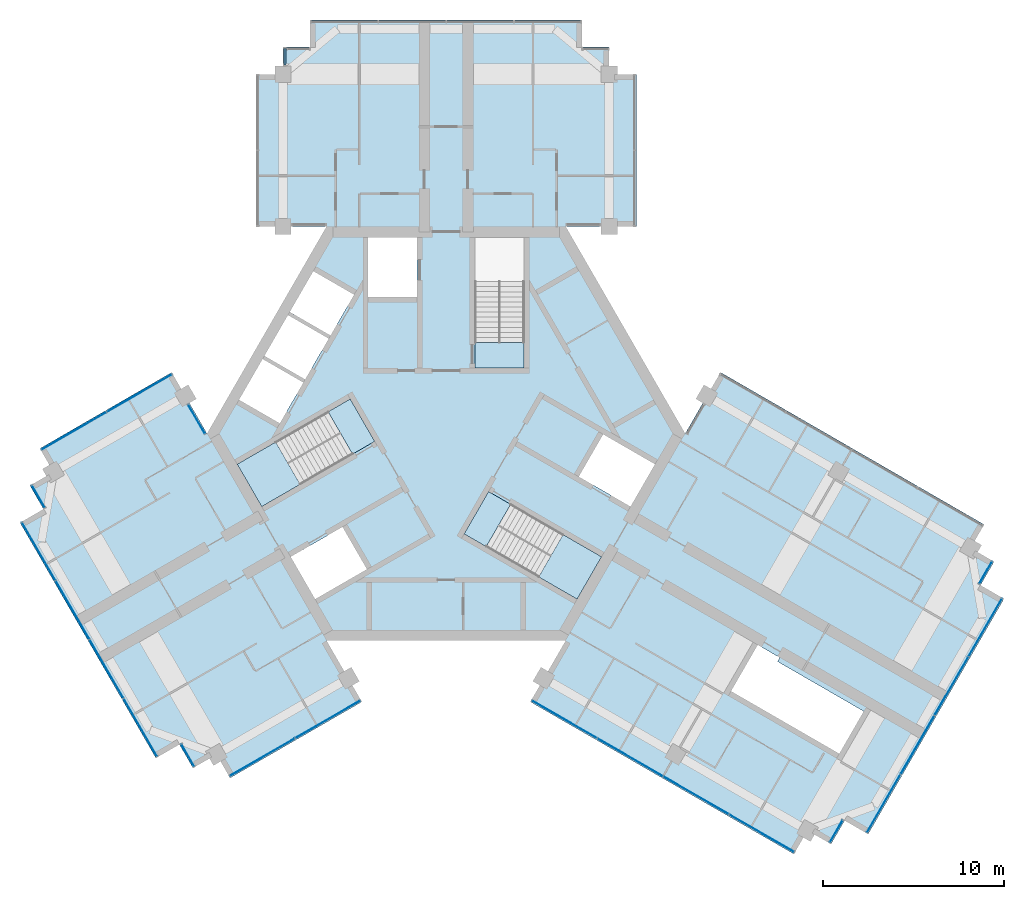
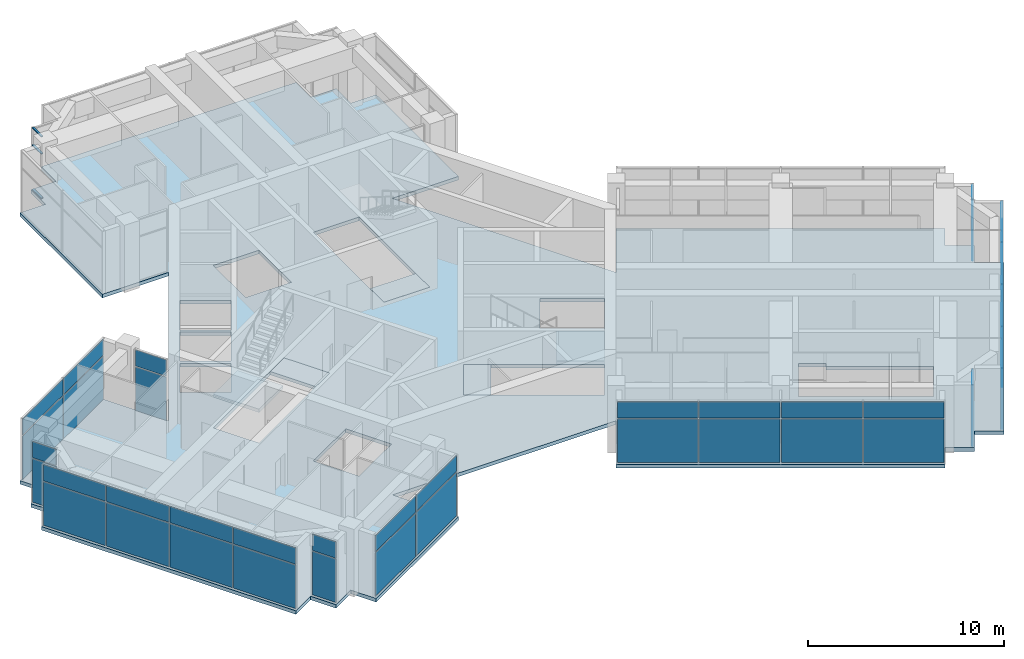
# One storey, part 7 of 14: 42 plates, 6 slabs, 3 members, 14 elements without a shape of their own.
"""IFC4 building model written with IfcOpenShell, lengths in metres."""

from ifc_helpers import new_model, si_unit, direction, frame, origin, origin_2d, place, context, subcontext, project, spatial, polyline, rectangle, outline, extrude, material, layer, layer_set, material_profile, profile_set, type_object, element, aggregate, save


model = new_model("IFC4")

# Units and contexts
model_context = context("Model", 3, precision=1e-05, world=origin(), true_north=direction((0.0, 1.0)))
body_context = subcontext(model_context, "Body", "Model", "MODEL_VIEW")
ifc_project = project(units=[si_unit("LENGTHUNIT", "METRE"), si_unit("AREAUNIT", "SQUARE_METRE"), si_unit("VOLUMEUNIT", "CUBIC_METRE"), si_unit("PLANEANGLEUNIT", "RADIAN"), si_unit("MASSUNIT", "GRAM", prefix="KILO")], contexts=[model_context])

# Site, building, storey
site_placement = place(None, origin())
site = spatial("IfcSite", under=ifc_project, at=site_placement, CompositionType="ELEMENT")
building_placement = place(site_placement, origin())
building = spatial("IfcBuilding", under=site, at=building_placement, Name="Impinga Residences", CompositionType="ELEMENT")
storey_placement = place(building_placement, frame((0.0, 0.0, 291.550048828125)))
storey = spatial("IfcBuildingStorey", under=building, at=storey_placement, Name="L73", CompositionType="ELEMENT", Elevation=291.550048828125)

# Curtain wall, members
ifc_material_1 = material(Name="Aluminium stick curtain wall", Category="aluminium")
curtain_wall_type = type_object("IfcCurtainWallType", Name="CW3 penthouse curtain wall", PredefinedType="USERDEFINED", material=ifc_material_1)
curtain_wall_1_placement = place(storey_placement, origin())
curtain_wall_1 = element("IfcCurtainWall", 1, at=curtain_wall_1_placement, inside=storey, type_object=curtain_wall_type, Name="Curtain wall CW3 L73", ObjectType="STICK CURTAIN WALL", PredefinedType="USERDEFINED")
ifc_material_2 = material(Name="Aluminium transom", Category="aluminium")
ifc_material_profile = material_profile(ifc_material_2, rectangle(XDim=0.06005859375, YDim=0.1201171875, at=origin_2d()), Name="60x120 transom")
ifc_profile_set = profile_set([ifc_material_profile], Name="Aluminium transom")
member_type = type_object("IfcMemberType", Name="CW3-T transom 60x120", PredefinedType="USERDEFINED", material=ifc_profile_set)
member_1_placement = place(storey_placement, frame((-8.89990234375, 20.344482421875, 0.030029296875), z_axis=(0.0, 1.0, 0.0), x_axis=(0.0, 0.0, 1.0)))
member_1 = element("IfcMember", 2, at=member_1_placement, type_object=member_type, Name="CW3 transom 1.1", ObjectType="TRANSOM", PredefinedType="USERDEFINED", context=body_context, shape_type="SweptSolid", body=[
    extrude(rectangle(XDim=0.06005859375, YDim=0.1201171875, at=origin_2d()), origin(), (0.0, 0.0, 1.0), 0.927001953125),
])
member_2_placement = place(storey_placement, frame((-8.89990234375, 20.344482421875, 2.800048828125), z_axis=(0.0, 1.0, 0.0), x_axis=(0.0, 0.0, 1.0)))
member_2 = element("IfcMember", 3, at=member_2_placement, type_object=member_type, Name="CW3 transom 1.2", ObjectType="TRANSOM", PredefinedType="USERDEFINED", context=body_context, shape_type="SweptSolid", body=[
    extrude(rectangle(XDim=0.06005859375, YDim=0.1201171875, at=origin_2d()), origin(), (0.0, 0.0, 1.0), 0.927001953125),
])
member_3_placement = place(storey_placement, frame((-8.89990234375, 20.344482421875, 3.869873046875), z_axis=(0.0, 1.0, 0.0), x_axis=(0.0, 0.0, 1.0)))
member_3 = element("IfcMember", 4, at=member_3_placement, type_object=member_type, Name="CW3 transom 1.3", ObjectType="TRANSOM", PredefinedType="USERDEFINED", context=body_context, shape_type="SweptSolid", body=[
    extrude(rectangle(XDim=0.06005859375, YDim=0.1201171875, at=origin_2d()), origin(), (0.0, 0.0, 1.0), 0.927001953125),
])
aggregate(curtain_wall_1, [member_1, member_2, member_3])

# Curtain wall, plates
curtain_wall_2_placement = place(storey_placement, origin())
curtain_wall_2 = element("IfcCurtainWall", 5, at=curtain_wall_2_placement, inside=storey, type_object=curtain_wall_type, Name="Curtain wall CW3 L73", ObjectType="STICK CURTAIN WALL", PredefinedType="USERDEFINED")
ifc_material_3 = material(Name="Clear double glazing", Category="glass")
ifc_layer_1 = layer(ifc_material_3, 0.028076171875)
ifc_layer_set_1 = layer_set([ifc_layer_1], Name="CW3-P clear double glazed panel 28")
plate_type = type_object("IfcPlateType", Name="CW3-P clear double glazed panel 28", PredefinedType="CURTAIN_PANEL", material=ifc_layer_set_1)
plate_1_placement = place(storey_placement, frame((29.78662109375, -7.671142578125, 0.06005859375), z_axis=(0.0, 0.0, 1.0), x_axis=(-0.500000030502, -0.866025386174, 0.0)))
plate_1 = element("IfcPlate", 6, at=plate_1_placement, type_object=plate_type, Name="CW3 panel 1.1", PredefinedType="CURTAIN_PANEL", context=body_context, shape_type="SweptSolid", body=[
    extrude(rectangle(XDim=1.3798828125, YDim=0.028076171875, at=origin_2d()), origin(), (0.0, 0.0, 1.0), 2.7099609375),
])
plate_2_placement = place(storey_placement, frame((29.78662109375, -7.671142578125, 2.830078125), z_axis=(0.0, 0.0, 1.0), x_axis=(-0.500000030502, -0.866025386174, 0.0)))
plate_2 = element("IfcPlate", 7, at=plate_2_placement, type_object=plate_type, Name="CW3 panel 1.2", PredefinedType="CURTAIN_PANEL", context=body_context, shape_type="SweptSolid", body=[
    extrude(rectangle(XDim=1.3798828125, YDim=0.028076171875, at=origin_2d()), origin(), (0.0, 0.0, 1.0), 1.010009765625),
])
aggregate(curtain_wall_2, [plate_1, plate_2])

curtain_wall_3_placement = place(storey_placement, origin())
curtain_wall_3 = element("IfcCurtainWall", 8, at=curtain_wall_3_placement, inside=storey, type_object=curtain_wall_type, Name="Curtain wall CW3 L73", ObjectType="STICK CURTAIN WALL", PredefinedType="USERDEFINED")
plate_3_placement = place(storey_placement, frame((29.765625, -10.707275390625, 0.06005859375), z_axis=(0.0, 0.0, 1.0), x_axis=(-0.500000001632, -0.866025402842, 0.0)))
plate_3 = element("IfcPlate", 9, at=plate_3_placement, type_object=plate_type, Name="CW3 panel 1.1", PredefinedType="CURTAIN_PANEL", context=body_context, shape_type="SweptSolid", body=[
    extrude(rectangle(XDim=3.659912109375, YDim=0.028076171875, at=origin_2d()), origin(), (0.0, 0.0, 1.0), 2.7099609375),
])
plate_4_placement = place(storey_placement, frame((29.765625, -10.707275390625, 2.830078125), z_axis=(0.0, 0.0, 1.0), x_axis=(-0.500000001632, -0.866025402842, 0.0)))
plate_4 = element("IfcPlate", 10, at=plate_4_placement, type_object=plate_type, Name="CW3 panel 1.2", PredefinedType="CURTAIN_PANEL", context=body_context, shape_type="SweptSolid", body=[
    extrude(rectangle(XDim=3.659912109375, YDim=0.028076171875, at=origin_2d()), origin(), (0.0, 0.0, 1.0), 1.010009765625),
])
plate_5_placement = place(storey_placement, frame((27.898193359375, -13.94189453125, 0.06005859375), z_axis=(0.0, 0.0, 1.0), x_axis=(-0.500000001632, -0.866025402842, 0.0)))
plate_5 = element("IfcPlate", 11, at=plate_5_placement, type_object=plate_type, Name="CW3 panel 2.1", PredefinedType="CURTAIN_PANEL", context=body_context, shape_type="SweptSolid", body=[
    extrude(rectangle(XDim=3.68994140625, YDim=0.028076171875, at=origin_2d()), origin(), (0.0, 0.0, 1.0), 2.7099609375),
])
plate_6_placement = place(storey_placement, frame((27.898193359375, -13.94189453125, 2.830078125), z_axis=(0.0, 0.0, 1.0), x_axis=(-0.500000001632, -0.866025402842, 0.0)))
plate_6 = element("IfcPlate", 12, at=plate_6_placement, type_object=plate_type, Name="CW3 panel 2.2", PredefinedType="CURTAIN_PANEL", context=body_context, shape_type="SweptSolid", body=[
    extrude(rectangle(XDim=3.68994140625, YDim=0.028076171875, at=origin_2d()), origin(), (0.0, 0.0, 1.0), 1.010009765625),
])
plate_7_placement = place(storey_placement, frame((26.023193359375, -17.189453125, 0.06005859375), z_axis=(0.0, 0.0, 1.0), x_axis=(-0.500000001632, -0.866025402842, 0.0)))
plate_7 = element("IfcPlate", 13, at=plate_7_placement, type_object=plate_type, Name="CW3 panel 3.1", PredefinedType="CURTAIN_PANEL", context=body_context, shape_type="SweptSolid", body=[
    extrude(rectangle(XDim=3.68994140625, YDim=0.028076171875, at=origin_2d()), origin(), (0.0, 0.0, 1.0), 2.7099609375),
])
plate_8_placement = place(storey_placement, frame((26.023193359375, -17.189453125, 2.830078125), z_axis=(0.0, 0.0, 1.0), x_axis=(-0.500000001632, -0.866025402842, 0.0)))
plate_8 = element("IfcPlate", 14, at=plate_8_placement, type_object=plate_type, Name="CW3 panel 3.2", PredefinedType="CURTAIN_PANEL", context=body_context, shape_type="SweptSolid", body=[
    extrude(rectangle(XDim=3.68994140625, YDim=0.028076171875, at=origin_2d()), origin(), (0.0, 0.0, 1.0), 1.010009765625),
])
plate_9_placement = place(storey_placement, frame((24.15576171875, -20.424072265625, 0.06005859375), z_axis=(0.0, 0.0, 1.0), x_axis=(-0.500000001632, -0.866025402842, 0.0)))
plate_9 = element("IfcPlate", 15, at=plate_9_placement, type_object=plate_type, Name="CW3 panel 4.1", PredefinedType="CURTAIN_PANEL", context=body_context, shape_type="SweptSolid", body=[
    extrude(rectangle(XDim=3.659912109375, YDim=0.028076171875, at=origin_2d()), origin(), (0.0, 0.0, 1.0), 2.7099609375),
])
plate_10_placement = place(storey_placement, frame((24.15576171875, -20.424072265625, 2.830078125), z_axis=(0.0, 0.0, 1.0), x_axis=(-0.500000001632, -0.866025402842, 0.0)))
plate_10 = element("IfcPlate", 16, at=plate_10_placement, type_object=plate_type, Name="CW3 panel 4.2", PredefinedType="CURTAIN_PANEL", context=body_context, shape_type="SweptSolid", body=[
    extrude(rectangle(XDim=3.659912109375, YDim=0.028076171875, at=origin_2d()), origin(), (0.0, 0.0, 1.0), 1.010009765625),
])
aggregate(curtain_wall_3, [plate_3, plate_4, plate_5, plate_6, plate_7, plate_8, plate_9, plate_10])

curtain_wall_4_placement = place(storey_placement, origin())
curtain_wall_4 = element("IfcCurtainWall", 17, at=curtain_wall_4_placement, inside=storey, type_object=curtain_wall_type, Name="Curtain wall CW3 L73", ObjectType="STICK CURTAIN WALL", PredefinedType="USERDEFINED")
plate_11_placement = place(storey_placement, frame((21.53662109375, -21.96044921875, 0.06005859375), z_axis=(0.0, 0.0, 1.0), x_axis=(-0.500000030502, -0.866025386174, 0.0)))
plate_11 = element("IfcPlate", 18, at=plate_11_placement, type_object=plate_type, Name="CW3 panel 1.1", PredefinedType="CURTAIN_PANEL", context=body_context, shape_type="SweptSolid", body=[
    extrude(rectangle(XDim=1.3798828125, YDim=0.028076171875, at=origin_2d()), origin(), (0.0, 0.0, 1.0), 2.7099609375),
])
plate_12_placement = place(storey_placement, frame((21.53662109375, -21.96044921875, 2.830078125), z_axis=(0.0, 0.0, 1.0), x_axis=(-0.500000030502, -0.866025386174, 0.0)))
plate_12 = element("IfcPlate", 19, at=plate_12_placement, type_object=plate_type, Name="CW3 panel 1.2", PredefinedType="CURTAIN_PANEL", context=body_context, shape_type="SweptSolid", body=[
    extrude(rectangle(XDim=1.3798828125, YDim=0.028076171875, at=origin_2d()), origin(), (0.0, 0.0, 1.0), 1.010009765625),
])
aggregate(curtain_wall_4, [plate_11, plate_12])

curtain_wall_5_placement = place(storey_placement, origin())
curtain_wall_5 = element("IfcCurtainWall", 20, at=curtain_wall_5_placement, inside=storey, type_object=curtain_wall_type, Name="Curtain wall CW3 L73", ObjectType="STICK CURTAIN WALL", PredefinedType="USERDEFINED")
plate_13_placement = place(storey_placement, frame((17.41748046875, -22.06494140625, 0.06005859375), z_axis=(0.0, 0.0, 1.0), x_axis=(-0.866025407005, 0.499999994423, 0.0)))
plate_13 = element("IfcPlate", 21, at=plate_13_placement, type_object=plate_type, Name="CW3 panel 1.1", PredefinedType="CURTAIN_PANEL", context=body_context, shape_type="SweptSolid", body=[
    extrude(rectangle(XDim=4.110107421875, YDim=0.028076171875, at=origin_2d()), origin(), (0.0, 0.0, 1.0), 2.7099609375),
])
plate_14_placement = place(storey_placement, frame((17.41748046875, -22.06494140625, 2.830078125), z_axis=(0.0, 0.0, 1.0), x_axis=(-0.866025407005, 0.499999994423, 0.0)))
plate_14 = element("IfcPlate", 22, at=plate_14_placement, type_object=plate_type, Name="CW3 panel 1.2", PredefinedType="CURTAIN_PANEL", context=body_context, shape_type="SweptSolid", body=[
    extrude(rectangle(XDim=4.110107421875, YDim=0.028076171875, at=origin_2d()), origin(), (0.0, 0.0, 1.0), 1.010009765625),
])
plate_15_placement = place(storey_placement, frame((13.793212890625, -19.972412109375, 0.06005859375), z_axis=(0.0, 0.0, 1.0), x_axis=(-0.866025407005, 0.499999994423, 0.0)))
plate_15 = element("IfcPlate", 23, at=plate_15_placement, type_object=plate_type, Name="CW3 panel 2.1", PredefinedType="CURTAIN_PANEL", context=body_context, shape_type="SweptSolid", body=[
    extrude(rectangle(XDim=4.139892578125, YDim=0.028076171875, at=origin_2d()), origin(), (0.0, 0.0, 1.0), 2.7099609375),
])
plate_16_placement = place(storey_placement, frame((13.793212890625, -19.972412109375, 2.830078125), z_axis=(0.0, 0.0, 1.0), x_axis=(-0.866025407005, 0.499999994423, 0.0)))
plate_16 = element("IfcPlate", 24, at=plate_16_placement, type_object=plate_type, Name="CW3 panel 2.2", PredefinedType="CURTAIN_PANEL", context=body_context, shape_type="SweptSolid", body=[
    extrude(rectangle(XDim=4.139892578125, YDim=0.028076171875, at=origin_2d()), origin(), (0.0, 0.0, 1.0), 1.010009765625),
])
plate_17_placement = place(storey_placement, frame((10.156005859375, -17.872314453125, 0.06005859375), z_axis=(0.0, 0.0, 1.0), x_axis=(-0.866025407005, 0.499999994423, 0.0)))
plate_17 = element("IfcPlate", 25, at=plate_17_placement, type_object=plate_type, Name="CW3 panel 3.1", PredefinedType="CURTAIN_PANEL", context=body_context, shape_type="SweptSolid", body=[
    extrude(rectangle(XDim=4.139892578125, YDim=0.028076171875, at=origin_2d()), origin(), (0.0, 0.0, 1.0), 2.7099609375),
])
plate_18_placement = place(storey_placement, frame((10.156005859375, -17.872314453125, 2.830078125), z_axis=(0.0, 0.0, 1.0), x_axis=(-0.866025407005, 0.499999994423, 0.0)))
plate_18 = element("IfcPlate", 26, at=plate_18_placement, type_object=plate_type, Name="CW3 panel 3.2", PredefinedType="CURTAIN_PANEL", context=body_context, shape_type="SweptSolid", body=[
    extrude(rectangle(XDim=4.139892578125, YDim=0.028076171875, at=origin_2d()), origin(), (0.0, 0.0, 1.0), 1.010009765625),
])
plate_19_placement = place(storey_placement, frame((6.53173828125, -15.780029296875, 0.06005859375), z_axis=(0.0, 0.0, 1.0), x_axis=(-0.866025407005, 0.499999994423, 0.0)))
plate_19 = element("IfcPlate", 27, at=plate_19_placement, type_object=plate_type, Name="CW3 panel 4.1", PredefinedType="CURTAIN_PANEL", context=body_context, shape_type="SweptSolid", body=[
    extrude(rectangle(XDim=4.110107421875, YDim=0.028076171875, at=origin_2d()), origin(), (0.0, 0.0, 1.0), 2.7099609375),
])
plate_20_placement = place(storey_placement, frame((6.53173828125, -15.780029296875, 2.830078125), z_axis=(0.0, 0.0, 1.0), x_axis=(-0.866025407005, 0.499999994423, 0.0)))
plate_20 = element("IfcPlate", 28, at=plate_20_placement, type_object=plate_type, Name="CW3 panel 4.2", PredefinedType="CURTAIN_PANEL", context=body_context, shape_type="SweptSolid", body=[
    extrude(rectangle(XDim=4.110107421875, YDim=0.028076171875, at=origin_2d()), origin(), (0.0, 0.0, 1.0), 1.010009765625),
])
aggregate(curtain_wall_5, [plate_13, plate_14, plate_15, plate_16, plate_17, plate_18, plate_19, plate_20])

curtain_wall_6_placement = place(storey_placement, origin())
curtain_wall_6 = element("IfcCurtainWall", 29, at=curtain_wall_6_placement, inside=storey, type_object=curtain_wall_type, Name="Curtain wall CW3 L73", ObjectType="STICK CURTAIN WALL", PredefinedType="USERDEFINED")
plate_21_placement = place(storey_placement, frame((-6.53173828125, -15.780029296875, 0.06005859375), z_axis=(0.0, 0.0, 1.0), x_axis=(-0.866025392126, -0.500000020194, 0.0)))
plate_21 = element("IfcPlate", 30, at=plate_21_placement, type_object=plate_type, Name="CW3 panel 1.1", PredefinedType="CURTAIN_PANEL", context=body_context, shape_type="SweptSolid", body=[
    extrude(rectangle(XDim=4.110107421875, YDim=0.028076171875, at=origin_2d()), origin(), (0.0, 0.0, 1.0), 2.7099609375),
])
plate_22_placement = place(storey_placement, frame((-6.53173828125, -15.780029296875, 2.830078125), z_axis=(0.0, 0.0, 1.0), x_axis=(-0.866025392126, -0.500000020194, 0.0)))
plate_22 = element("IfcPlate", 31, at=plate_22_placement, type_object=plate_type, Name="CW3 panel 1.2", PredefinedType="CURTAIN_PANEL", context=body_context, shape_type="SweptSolid", body=[
    extrude(rectangle(XDim=4.110107421875, YDim=0.028076171875, at=origin_2d()), origin(), (0.0, 0.0, 1.0), 1.010009765625),
])
plate_23_placement = place(storey_placement, frame((-10.14306640625, -17.864990234375, 0.06005859375), z_axis=(0.0, 0.0, 1.0), x_axis=(-0.866025392126, -0.500000020194, 0.0)))
plate_23 = element("IfcPlate", 32, at=plate_23_placement, type_object=plate_type, Name="CW3 panel 2.1", PredefinedType="CURTAIN_PANEL", context=body_context, shape_type="SweptSolid", body=[
    extrude(rectangle(XDim=4.110107421875, YDim=0.028076171875, at=origin_2d()), origin(), (0.0, 0.0, 1.0), 2.7099609375),
])
plate_24_placement = place(storey_placement, frame((-10.14306640625, -17.864990234375, 2.830078125), z_axis=(0.0, 0.0, 1.0), x_axis=(-0.866025392126, -0.500000020194, 0.0)))
plate_24 = element("IfcPlate", 33, at=plate_24_placement, type_object=plate_type, Name="CW3 panel 2.2", PredefinedType="CURTAIN_PANEL", context=body_context, shape_type="SweptSolid", body=[
    extrude(rectangle(XDim=4.110107421875, YDim=0.028076171875, at=origin_2d()), origin(), (0.0, 0.0, 1.0), 1.010009765625),
])
aggregate(curtain_wall_6, [plate_21, plate_22, plate_23, plate_24])

curtain_wall_7_placement = place(storey_placement, origin())
curtain_wall_7 = element("IfcCurtainWall", 34, at=curtain_wall_7_placement, inside=storey, type_object=curtain_wall_type, Name="Curtain wall CW3 L73", ObjectType="STICK CURTAIN WALL", PredefinedType="USERDEFINED")
plate_25_placement = place(storey_placement, frame((-14.261962890625, -17.760498046875, 0.06005859375), z_axis=(0.0, 0.0, 1.0), x_axis=(-0.500000030502, 0.866025386174, 0.0)))
plate_25 = element("IfcPlate", 35, at=plate_25_placement, type_object=plate_type, Name="CW3 panel 1.1", PredefinedType="CURTAIN_PANEL", context=body_context, shape_type="SweptSolid", body=[
    extrude(rectangle(XDim=1.3798828125, YDim=0.028076171875, at=origin_2d()), origin(), (0.0, 0.0, 1.0), 2.7099609375),
])
plate_26_placement = place(storey_placement, frame((-14.261962890625, -17.760498046875, 2.830078125), z_axis=(0.0, 0.0, 1.0), x_axis=(-0.500000030502, 0.866025386174, 0.0)))
plate_26 = element("IfcPlate", 36, at=plate_26_placement, type_object=plate_type, Name="CW3 panel 1.2", PredefinedType="CURTAIN_PANEL", context=body_context, shape_type="SweptSolid", body=[
    extrude(rectangle(XDim=1.3798828125, YDim=0.028076171875, at=origin_2d()), origin(), (0.0, 0.0, 1.0), 1.010009765625),
])
aggregate(curtain_wall_7, [plate_25, plate_26])

curtain_wall_8_placement = place(storey_placement, origin())
curtain_wall_8 = element("IfcCurtainWall", 37, at=curtain_wall_8_placement, inside=storey, type_object=curtain_wall_type, Name="Curtain wall CW3 L73", ObjectType="STICK CURTAIN WALL", PredefinedType="USERDEFINED")
plate_27_placement = place(storey_placement, frame((-16.881103515625, -16.22412109375, 0.06005859375), z_axis=(0.0, 0.0, 1.0), x_axis=(-0.500000001632, 0.866025402842, 0.0)))
plate_27 = element("IfcPlate", 38, at=plate_27_placement, type_object=plate_type, Name="CW3 panel 1.1", PredefinedType="CURTAIN_PANEL", context=body_context, shape_type="SweptSolid", body=[
    extrude(rectangle(XDim=3.659912109375, YDim=0.028076171875, at=origin_2d()), origin(), (0.0, 0.0, 1.0), 2.7099609375),
])
plate_28_placement = place(storey_placement, frame((-16.881103515625, -16.22412109375, 2.830078125), z_axis=(0.0, 0.0, 1.0), x_axis=(-0.500000001632, 0.866025402842, 0.0)))
plate_28 = element("IfcPlate", 39, at=plate_28_placement, type_object=plate_type, Name="CW3 panel 1.2", PredefinedType="CURTAIN_PANEL", context=body_context, shape_type="SweptSolid", body=[
    extrude(rectangle(XDim=3.659912109375, YDim=0.028076171875, at=origin_2d()), origin(), (0.0, 0.0, 1.0), 1.010009765625),
])
plate_29_placement = place(storey_placement, frame((-18.74853515625, -12.989501953125, 0.06005859375), z_axis=(0.0, 0.0, 1.0), x_axis=(-0.500000001632, 0.866025402842, 0.0)))
plate_29 = element("IfcPlate", 40, at=plate_29_placement, type_object=plate_type, Name="CW3 panel 2.1", PredefinedType="CURTAIN_PANEL", context=body_context, shape_type="SweptSolid", body=[
    extrude(rectangle(XDim=3.68994140625, YDim=0.028076171875, at=origin_2d()), origin(), (0.0, 0.0, 1.0), 2.7099609375),
])
plate_30_placement = place(storey_placement, frame((-18.74853515625, -12.989501953125, 2.830078125), z_axis=(0.0, 0.0, 1.0), x_axis=(-0.500000001632, 0.866025402842, 0.0)))
plate_30 = element("IfcPlate", 41, at=plate_30_placement, type_object=plate_type, Name="CW3 panel 2.2", PredefinedType="CURTAIN_PANEL", context=body_context, shape_type="SweptSolid", body=[
    extrude(rectangle(XDim=3.68994140625, YDim=0.028076171875, at=origin_2d()), origin(), (0.0, 0.0, 1.0), 1.010009765625),
])
plate_31_placement = place(storey_placement, frame((-20.62353515625, -9.741943359375, 0.06005859375), z_axis=(0.0, 0.0, 1.0), x_axis=(-0.500000001632, 0.866025402842, 0.0)))
plate_31 = element("IfcPlate", 42, at=plate_31_placement, type_object=plate_type, Name="CW3 panel 3.1", PredefinedType="CURTAIN_PANEL", context=body_context, shape_type="SweptSolid", body=[
    extrude(rectangle(XDim=3.68994140625, YDim=0.028076171875, at=origin_2d()), origin(), (0.0, 0.0, 1.0), 2.7099609375),
])
plate_32_placement = place(storey_placement, frame((-20.62353515625, -9.741943359375, 2.830078125), z_axis=(0.0, 0.0, 1.0), x_axis=(-0.500000001632, 0.866025402842, 0.0)))
plate_32 = element("IfcPlate", 43, at=plate_32_placement, type_object=plate_type, Name="CW3 panel 3.2", PredefinedType="CURTAIN_PANEL", context=body_context, shape_type="SweptSolid", body=[
    extrude(rectangle(XDim=3.68994140625, YDim=0.028076171875, at=origin_2d()), origin(), (0.0, 0.0, 1.0), 1.010009765625),
])
plate_33_placement = place(storey_placement, frame((-22.490966796875, -6.50732421875, 0.06005859375), z_axis=(0.0, 0.0, 1.0), x_axis=(-0.500000001632, 0.866025402842, 0.0)))
plate_33 = element("IfcPlate", 44, at=plate_33_placement, type_object=plate_type, Name="CW3 panel 4.1", PredefinedType="CURTAIN_PANEL", context=body_context, shape_type="SweptSolid", body=[
    extrude(rectangle(XDim=3.659912109375, YDim=0.028076171875, at=origin_2d()), origin(), (0.0, 0.0, 1.0), 2.7099609375),
])
plate_34_placement = place(storey_placement, frame((-22.490966796875, -6.50732421875, 2.830078125), z_axis=(0.0, 0.0, 1.0), x_axis=(-0.500000001632, 0.866025402842, 0.0)))
plate_34 = element("IfcPlate", 45, at=plate_34_placement, type_object=plate_type, Name="CW3 panel 4.2", PredefinedType="CURTAIN_PANEL", context=body_context, shape_type="SweptSolid", body=[
    extrude(rectangle(XDim=3.659912109375, YDim=0.028076171875, at=origin_2d()), origin(), (0.0, 0.0, 1.0), 1.010009765625),
])
aggregate(curtain_wall_8, [plate_27, plate_28, plate_29, plate_30, plate_31, plate_32, plate_33, plate_34])

curtain_wall_9_placement = place(storey_placement, origin())
curtain_wall_9 = element("IfcCurtainWall", 46, at=curtain_wall_9_placement, inside=storey, type_object=curtain_wall_type, Name="Curtain wall CW3 L73", ObjectType="STICK CURTAIN WALL", PredefinedType="USERDEFINED")
plate_35_placement = place(storey_placement, frame((-22.511962890625, -3.470947265625, 0.06005859375), z_axis=(0.0, 0.0, 1.0), x_axis=(-0.500000030502, 0.866025386174, 0.0)))
plate_35 = element("IfcPlate", 47, at=plate_35_placement, type_object=plate_type, Name="CW3 panel 1.1", PredefinedType="CURTAIN_PANEL", context=body_context, shape_type="SweptSolid", body=[
    extrude(rectangle(XDim=1.3798828125, YDim=0.028076171875, at=origin_2d()), origin(), (0.0, 0.0, 1.0), 2.7099609375),
])
plate_36_placement = place(storey_placement, frame((-22.511962890625, -3.470947265625, 2.830078125), z_axis=(0.0, 0.0, 1.0), x_axis=(-0.500000030502, 0.866025386174, 0.0)))
plate_36 = element("IfcPlate", 48, at=plate_36_placement, type_object=plate_type, Name="CW3 panel 1.2", PredefinedType="CURTAIN_PANEL", context=body_context, shape_type="SweptSolid", body=[
    extrude(rectangle(XDim=1.3798828125, YDim=0.028076171875, at=origin_2d()), origin(), (0.0, 0.0, 1.0), 1.010009765625),
])
aggregate(curtain_wall_9, [plate_35, plate_36])

curtain_wall_10_placement = place(storey_placement, origin())
curtain_wall_10 = element("IfcCurtainWall", 49, at=curtain_wall_10_placement, inside=storey, type_object=curtain_wall_type, Name="Curtain wall CW3 L73", ObjectType="STICK CURTAIN WALL", PredefinedType="USERDEFINED")
plate_37_placement = place(storey_placement, frame((-20.54296875, 0.1484375, 0.06005859375), z_axis=(0.0, 0.0, 1.0), x_axis=(0.866025392126, 0.500000020194, 0.0)))
plate_37 = element("IfcPlate", 50, at=plate_37_placement, type_object=plate_type, Name="CW3 panel 1.1", PredefinedType="CURTAIN_PANEL", context=body_context, shape_type="SweptSolid", body=[
    extrude(rectangle(XDim=4.110107421875, YDim=0.028076171875, at=origin_2d()), origin(), (0.0, 0.0, 1.0), 2.7099609375),
])
plate_38_placement = place(storey_placement, frame((-20.54296875, 0.1484375, 2.830078125), z_axis=(0.0, 0.0, 1.0), x_axis=(0.866025392126, 0.500000020194, 0.0)))
plate_38 = element("IfcPlate", 51, at=plate_38_placement, type_object=plate_type, Name="CW3 panel 1.2", PredefinedType="CURTAIN_PANEL", context=body_context, shape_type="SweptSolid", body=[
    extrude(rectangle(XDim=4.110107421875, YDim=0.028076171875, at=origin_2d()), origin(), (0.0, 0.0, 1.0), 1.010009765625),
])
plate_39_placement = place(storey_placement, frame((-16.931640625, 2.2333984375, 0.06005859375), z_axis=(0.0, 0.0, 1.0), x_axis=(0.866025392126, 0.500000020194, 0.0)))
plate_39 = element("IfcPlate", 52, at=plate_39_placement, type_object=plate_type, Name="CW3 panel 2.1", PredefinedType="CURTAIN_PANEL", context=body_context, shape_type="SweptSolid", body=[
    extrude(rectangle(XDim=4.110107421875, YDim=0.028076171875, at=origin_2d()), origin(), (0.0, 0.0, 1.0), 2.7099609375),
])
plate_40_placement = place(storey_placement, frame((-16.931640625, 2.2333984375, 2.830078125), z_axis=(0.0, 0.0, 1.0), x_axis=(0.866025392126, 0.500000020194, 0.0)))
plate_40 = element("IfcPlate", 53, at=plate_40_placement, type_object=plate_type, Name="CW3 panel 2.2", PredefinedType="CURTAIN_PANEL", context=body_context, shape_type="SweptSolid", body=[
    extrude(rectangle(XDim=4.110107421875, YDim=0.028076171875, at=origin_2d()), origin(), (0.0, 0.0, 1.0), 1.010009765625),
])
aggregate(curtain_wall_10, [plate_37, plate_38, plate_39, plate_40])

curtain_wall_11_placement = place(storey_placement, origin())
curtain_wall_11 = element("IfcCurtainWall", 54, at=curtain_wall_11_placement, inside=storey, type_object=curtain_wall_type, Name="Curtain wall CW3 L73", ObjectType="STICK CURTAIN WALL", PredefinedType="USERDEFINED")
plate_41_placement = place(storey_placement, frame((-13.7734375, 0.79296875, 0.06005859375), z_axis=(0.0, 0.0, 1.0), x_axis=(0.50000010257, -0.866025344565, 0.0)))
plate_41 = element("IfcPlate", 55, at=plate_41_placement, type_object=plate_type, Name="CW3 panel 1.1", PredefinedType="CURTAIN_PANEL", context=body_context, shape_type="SweptSolid", body=[
    extrude(rectangle(XDim=1.826904296875, YDim=0.028076171875, at=origin_2d()), origin(), (0.0, 0.0, 1.0), 2.7099609375),
])
plate_42_placement = place(storey_placement, frame((-13.7734375, 0.79296875, 2.830078125), z_axis=(0.0, 0.0, 1.0), x_axis=(0.50000010257, -0.866025344565, 0.0)))
plate_42 = element("IfcPlate", 56, at=plate_42_placement, type_object=plate_type, Name="CW3 panel 1.2", PredefinedType="CURTAIN_PANEL", context=body_context, shape_type="SweptSolid", body=[
    extrude(rectangle(XDim=1.826904296875, YDim=0.028076171875, at=origin_2d()), origin(), (0.0, 0.0, 1.0), 1.010009765625),
])
aggregate(curtain_wall_11, [plate_41, plate_42])

# Slab
ifc_material_4 = material(Name="Concrete C60/75", Category="concrete")
ifc_layer_2 = layer(ifc_material_4, 0.219970703125)
ifc_layer_set_2 = layer_set([ifc_layer_2], Name="Concrete C60/75")
slab_type_1 = type_object("IfcSlabType", Name="FS1 tower floor slab 220", PredefinedType="FLOOR", material=ifc_layer_set_2)
slab_1_placement = place(storey_placement, frame((0.0, 0.0, -0.219970703125)))
element("IfcSlab", 57, at=slab_1_placement, inside=storey, type_object=slab_type_1, Name="Floor slab FS1 L73", PredefinedType="FLOOR", context=body_context, shape_type="SweptSolid", body=[
    extrude(outline(polyline([(28.94921875, -6.321533203125), (30.248291015625, -7.071533203125), (29.498291015625, -8.37060546875), (30.79736328125, -9.12060546875), (23.29736328125, -22.11083984375), (21.998291015625, -21.36083984375), (21.248291015625, -22.659912109375), (19.94921875, -21.909912109375), (19.19921875, -23.208984375), (4.64990234375, -14.80908203125), (9.900146484375, -5.7158203125), (6.60009765625, -11.431640625), (-6.60009765625, -11.431640625), (-9.900146484375, -5.7158203125), (-4.64990234375, -14.80908203125), (-11.924560546875, -19.009033203125), (-12.674560546875, -17.7099609375), (-13.9736328125, -18.4599609375), (-14.7236328125, -17.160888671875), (-16.022705078125, -17.910888671875), (-23.522705078125, -4.920654296875), (-22.2236328125, -4.170654296875), (-22.9736328125, -2.87158203125), (-21.674560546875, -2.12158203125), (-22.424560546875, -0.822509765625), (-15.14990234375, 3.37744140625), (-13.199951171875, 0.0), (-6.60009765625, 11.431640625), (-10.5, 11.431640625), (-10.5, 19.83154296875), (-9.0, 19.83154296875), (-9.0, 21.33154296875), (-7.5, 21.33154296875), (-7.5, 22.83154296875), (7.5, 22.83154296875), (7.5, 21.33154296875), (9.0, 21.33154296875), (9.0, 19.83154296875), (10.5, 19.83154296875), (10.5, 11.431640625), (6.60009765625, 11.431640625), (13.199951171875, 0.0), (15.14990234375, 3.37744140625), (29.69921875, -5.0224609375), (28.94921875, -6.321533203125)]), holes=[polyline([(-8.580322265625, -6.801513671875), (-7.23046875, -9.1396484375), (-4.37109375, -7.489013671875), (-5.72119140625, -5.150634765625), (-8.580322265625, -6.801513671875)]), polyline([(-5.293701171875, 1.908935546875), (-11.5302734375, -1.69189453125), (-10.180419921875, -4.030029296875), (-3.943603515625, -0.429443359375), (-5.293701171875, 1.908935546875)]), polyline([(-7.878662109375, 2.816650390625), (-10.13037109375, 4.11669921875), (-11.430419921875, 1.864990234375), (-9.1787109375, 0.56494140625), (-7.878662109375, 2.816650390625)]), polyline([(-8.73046875, 6.54150390625), (-10.0302734375, 4.2900390625), (-7.77880859375, 2.989990234375), (-6.478759765625, 5.24169921875), (-8.73046875, 6.54150390625)]), polyline([(-5.07861328125, 7.66650390625), (-7.330322265625, 8.966552734375), (-8.63037109375, 6.71484375), (-6.378662109375, 5.414794921875), (-5.07861328125, 7.66650390625)]), polyline([(-1.60009765625, 7.530029296875), (-1.60009765625, 10.83154296875), (-4.300048828125, 10.83154296875), (-4.300048828125, 7.530029296875), (-1.60009765625, 7.530029296875)]), polyline([(21.70458984375, -17.669677734375), (23.0546875, -15.331298828125), (18.29150390625, -12.581298828125), (18.41650390625, -12.36474609375), (17.2041015625, -11.664794921875), (15.72900390625, -14.219482421875), (21.70458984375, -17.669677734375)]), polyline([(7.23046875, -9.1396484375), (8.580322265625, -6.801513671875), (2.34375, -3.20068359375), (0.99365234375, -5.538818359375), (7.23046875, -9.1396484375)]), polyline([(7.3212890625, -2.37939453125), (10.180419921875, -4.030029296875), (11.5302734375, -1.69189453125), (8.671142578125, -0.041015625), (7.3212890625, -2.37939453125)]), polyline([(4.300048828125, 3.6298828125), (4.300048828125, 10.83154296875), (1.60009765625, 10.83154296875), (1.60009765625, 3.6298828125), (4.300048828125, 3.6298828125)])]), origin(), (0.0, 0.0, 1.0), 0.219970703125),
])

# Stair, slab
ifc_material_5 = material(Name="Concrete C40/50", Category="concrete")
stair_type = type_object("IfcStairType", Name="STR core stair 4200 storey, 26 risers", PredefinedType="HALF_TURN_STAIR", material=ifc_material_5)
stair_1_placement = place(storey_placement, origin())
stair_1 = element("IfcStair", 58, at=stair_1_placement, inside=storey, type_object=stair_type, Name="Stair ST1 L73", PredefinedType="HALF_TURN_STAIR")
ifc_layer_3 = layer(ifc_material_5, 0.199951171875)
ifc_layer_set_3 = layer_set([ifc_layer_3], Name="Concrete C40/50")
slab_type_2 = type_object("IfcSlabType", Name="LS1 stair landing 200", PredefinedType="LANDING", material=ifc_layer_set_3)
slab_2_placement = place(storey_placement, frame((0.0, 0.0, -0.199951171875)))
slab_2 = element("IfcSlab", 59, at=slab_2_placement, type_object=slab_type_2, Name="ST1 landing 1", PredefinedType="LANDING", context=body_context, shape_type="SweptSolid", body=[
    extrude(outline(polyline([(1.60009765625, 3.6298828125), (4.300048828125, 3.6298828125), (4.300048828125, 5.0400390625), (1.60009765625, 5.0400390625), (1.60009765625, 3.6298828125)])), origin(), (0.0, 0.0, 1.0), 0.199951171875),
])
aggregate(stair_1, [slab_2])

# Stair, slabs
stair_2_placement = place(storey_placement, origin())
stair_2 = element("IfcStair", 60, at=stair_2_placement, inside=storey, type_object=stair_type, Name="Stair ST2 L73", PredefinedType="HALF_TURN_STAIR")
slab_3_placement = place(storey_placement, frame((0.0, 0.0, -0.199951171875)))
slab_3 = element("IfcSlab", 61, at=slab_3_placement, type_object=slab_type_2, Name="ST2 landing 1", PredefinedType="LANDING", context=body_context, shape_type="SweptSolid", body=[
    extrude(outline(polyline([(-3.943603515625, -0.429443359375), (-5.293701171875, 1.908935546875), (-6.5146484375, 1.203857421875), (-5.164794921875, -1.13427734375), (-3.943603515625, -0.429443359375)])), origin(), (0.0, 0.0, 1.0), 0.199951171875),
])
slab_4_placement = place(storey_placement, frame((0.0, 0.0, 1.89990234375)))
slab_4 = element("IfcSlab", 62, at=slab_4_placement, type_object=slab_type_2, Name="ST2 landing 2", PredefinedType="LANDING", context=body_context, shape_type="SweptSolid", body=[
    extrude(outline(polyline([(-8.057373046875, -2.804443359375), (-9.4072265625, -0.466064453125), (-11.5302734375, -1.69189453125), (-10.180419921875, -4.030029296875), (-8.057373046875, -2.804443359375)])), origin(), (0.0, 0.0, 1.0), 0.199951171875),
])
aggregate(stair_2, [slab_3, slab_4])

stair_3_placement = place(storey_placement, origin())
stair_3 = element("IfcStair", 63, at=stair_3_placement, inside=storey, type_object=stair_type, Name="Stair ST3 L73", PredefinedType="HALF_TURN_STAIR")
slab_5_placement = place(storey_placement, frame((0.0, 0.0, -0.199951171875)))
slab_5 = element("IfcSlab", 64, at=slab_5_placement, type_object=slab_type_2, Name="ST3 landing 1", PredefinedType="LANDING", context=body_context, shape_type="SweptSolid", body=[
    extrude(outline(polyline([(2.34375, -3.20068359375), (0.99365234375, -5.538818359375), (2.21484375, -6.243896484375), (3.564697265625, -3.90576171875), (2.34375, -3.20068359375)])), origin(), (0.0, 0.0, 1.0), 0.199951171875),
])
slab_6_placement = place(storey_placement, frame((0.0, 0.0, 1.89990234375)))
slab_6 = element("IfcSlab", 65, at=slab_6_placement, type_object=slab_type_2, Name="ST3 landing 2", PredefinedType="LANDING", context=body_context, shape_type="SweptSolid", body=[
    extrude(outline(polyline([(6.457275390625, -5.57568359375), (5.107177734375, -7.913818359375), (7.23046875, -9.1396484375), (8.580322265625, -6.801513671875), (6.457275390625, -5.57568359375)])), origin(), (0.0, 0.0, 1.0), 0.199951171875),
])
aggregate(stair_3, [slab_5, slab_6])

save(model, "model.ifc")
